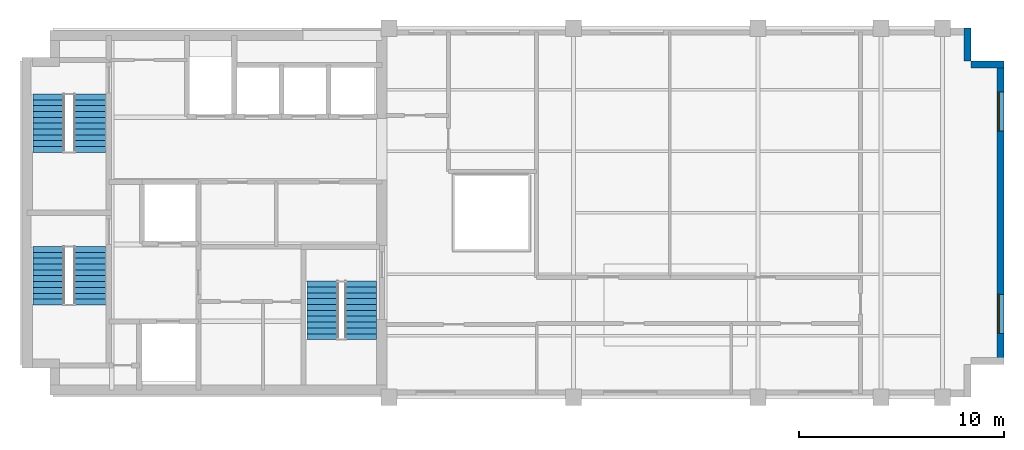
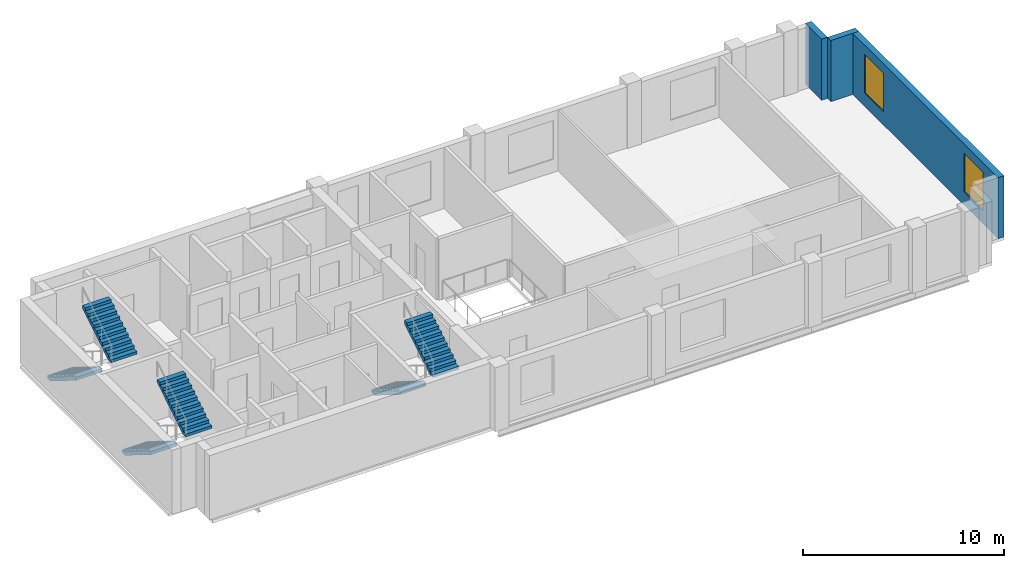
# One storey, part 4 of 5: 6 stair flights, 3 walls, 2 windows, 2 openings, 3 elements without a shape of their own.
"""IFC4 building model written with IfcOpenShell, lengths in metres."""

import ifcopenshell
import ifcopenshell.guid

model = None  # the IFC model being written
_history = None  # IfcOwnerHistory: only IFC2X3 demands one
_inside = {}  # id of a spatial element -> (the spatial element, [elements in it])
_under = {}  # id of a project, library or spatial element -> (it, [spatial elements below it])
_declared = {}  # id of a project -> (the project, [libraries it declares])
_typed = {}  # id of a type object -> (the type object, [elements of that type])
_made_of = {}  # id of a material, layer set ... -> (it, [elements and type objects made of it])


def new_model(schema):
    """Start an empty IFC model of exactly this schema.

    Asked for "IFC4X3", IfcOpenShell would pick the latest addendum, in which some entities
    have other attributes; the version numbers below select the first issue.
    IFC2X3 requires an IfcOwnerHistory on every rooted entity: one is made here for all.
    """
    global model, _history
    if schema == "IFC4X3":
        model = ifcopenshell.file(schema_version=(4, 3, 0, 0))
    else:
        model = ifcopenshell.file(schema=schema)
    _inside.clear()
    _under.clear()
    _declared.clear()
    _typed.clear()
    _made_of.clear()
    _history = None
    if model.schema == "IFC2X3":
        org = make("IfcOrganization", Name="unknown")
        user = make(
            "IfcPersonAndOrganization",
            ThePerson=make("IfcPerson", FamilyName="unknown"),
            TheOrganization=org,
        )
        app = make(
            "IfcApplication",
            ApplicationDeveloper=org,
            Version="unknown",
            ApplicationFullName="unknown",
            ApplicationIdentifier="unknown",
        )
        _history = make(
            "IfcOwnerHistory",
            OwningUser=user,
            OwningApplication=app,
            ChangeAction="ADDED",
            CreationDate=0,
        )
    return model


def make(cls, **values):
    """One entity of the class cls with the attributes given. An attribute that is None is left unset."""
    return model.create_entity(
        cls, **{name: value for name, value in values.items() if value is not None}
    )


def rooted(cls, **values):
    """An entity with a GlobalId (a new one), such as an element, a storey or a relation."""
    return make(cls, GlobalId=ifcopenshell.guid.new(), OwnerHistory=_history, **values)


def si_unit(unit_type, name, prefix=None):
    """IfcSIUnit, for example si_unit("LENGTHUNIT", "METRE", prefix="MILLI")."""
    return make("IfcSIUnit", UnitType=unit_type, Prefix=prefix, Name=name)


def assignment(units):
    """IfcUnitAssignment: the units of a project."""
    return None if units is None else make("IfcUnitAssignment", Units=units)


def point(xyz):
    """IfcCartesianPoint."""
    return None if xyz is None else make("IfcCartesianPoint", Coordinates=xyz)


def direction(xyz):
    """IfcDirection."""
    return None if xyz is None else make("IfcDirection", DirectionRatios=xyz)


def frame(location, z_axis=None, x_axis=None):
    """IfcAxis2Placement3D, a coordinate frame: its origin and axes. An axis left out is left unset."""
    return make(
        "IfcAxis2Placement3D",
        Location=point(location),
        Axis=direction(z_axis),
        RefDirection=direction(x_axis),
    )


def frame_2d(location, x_axis=None):
    """IfcAxis2Placement2D, a coordinate frame in the plane: its origin and x axis."""
    return make(
        "IfcAxis2Placement2D", Location=point(location), RefDirection=direction(x_axis)
    )


def origin():
    """The frame at (0, 0, 0) with its axes left unset."""
    return frame((0.0, 0.0, 0.0))


def place(relative_to, where):
    """IfcLocalPlacement: puts the frame where relative to a parent placement (None: the world)."""
    return make(
        "IfcLocalPlacement", PlacementRelTo=relative_to, RelativePlacement=where
    )


def context(
    kind, dimensions, precision=None, world=None, true_north=None, identifier=None
):
    """IfcGeometricRepresentationContext, for example the 3D "Model" context."""
    return make(
        "IfcGeometricRepresentationContext",
        ContextIdentifier=identifier,
        ContextType=kind,
        CoordinateSpaceDimension=dimensions,
        Precision=precision,
        WorldCoordinateSystem=world,
        TrueNorth=true_north,
    )


def subcontext(parent, identifier, kind, view, scale=None):
    """IfcGeometricRepresentationSubContext, for example "Body" below "Model"."""
    return make(
        "IfcGeometricRepresentationSubContext",
        ContextIdentifier=identifier,
        ContextType=kind,
        ParentContext=parent,
        TargetScale=scale,
        TargetView=view,
    )


def project(units=None, contexts=None):
    """IfcProject with its units and contexts."""
    return rooted(
        "IfcProject",
        Name="project",
        RepresentationContexts=contexts,
        UnitsInContext=assignment(units),
    )


def spatial(cls, under=None, at=None, **own):
    """A site, building, storey or space (cls), placed at a placement, below another one or the project."""
    s = rooted(cls, ObjectPlacement=at, **own)
    if under is not None:
        _under.setdefault(under.id(), (under, []))[1].append(s)
    return s


def polyline(points):
    """IfcPolyline through the points."""
    return make("IfcPolyline", Points=[point(p) for p in points])


def profile(cls, at=None, kind="AREA", **sizes):
    """A parametric profile (cls). Its sizes go by their IFC names, for example OverallWidth=200.0."""
    return make(cls, ProfileType=kind, Position=at, **sizes)


def rectangle(**sizes):
    """IfcRectangleProfileDef."""
    return profile("IfcRectangleProfileDef", **sizes)


def outline(outer, holes=None, kind="AREA"):
    """IfcArbitraryClosedProfileDef: a profile drawn as a closed curve; with holes, ...WithVoids."""
    if holes is None:
        return make("IfcArbitraryClosedProfileDef", ProfileType=kind, OuterCurve=outer)
    return make(
        "IfcArbitraryProfileDefWithVoids",
        ProfileType=kind,
        OuterCurve=outer,
        InnerCurves=holes,
    )


def extrude(swept, where, along, depth):
    """IfcExtrudedAreaSolid: the profile swept, set in the frame where, extruded along a direction by depth."""
    return make(
        "IfcExtrudedAreaSolid",
        SweptArea=swept,
        Position=where,
        ExtrudedDirection=direction(along),
        Depth=depth,
    )


def shape(context_of_items, identifier, shape_type, items):
    """IfcShapeRepresentation: the items that make up one representation, for example the "Body"."""
    return make(
        "IfcShapeRepresentation",
        ContextOfItems=context_of_items,
        RepresentationIdentifier=identifier,
        RepresentationType=shape_type,
        Items=items,
    )


def material(Name=None, Category=None):
    """IfcMaterial."""
    return make("IfcMaterial", Name=Name, Category=Category)


def layer(
    of_material, thickness, ventilated=None, Name=None, Category=None, Priority=None
):
    """IfcMaterialLayer: one layer of a wall or slab, of a material (None: an air gap)."""
    return make(
        "IfcMaterialLayer",
        Material=of_material,
        LayerThickness=thickness,
        IsVentilated=ventilated,
        Name=Name,
        Category=Category,
        Priority=Priority,
    )


def layer_set(layers, Name=None):
    """IfcMaterialLayerSet."""
    return make("IfcMaterialLayerSet", MaterialLayers=layers, LayerSetName=Name)


def made_of(thing, what):
    """Note that an element or type object is made of a material, layer set ...; save() writes the relation."""
    if what is not None:
        _made_of.setdefault(what.id(), (what, []))[1].append(thing)
    return thing


def type_object(cls, material=None, **own):
    """A type object (cls), such as IfcWallType, which elements share."""
    return made_of(rooted(cls, **own), material)


def element(
    cls,
    number,
    at=None,
    inside=None,
    cuts=None,
    type_object=None,
    material=None,
    context=None,
    identifier="Body",
    shape_type=None,
    held_by="IfcProductDefinitionShape",
    body=None,
    shapes=None,
    **own,
):
    """One element of the class cls, such as IfcWall. Its Tag is "e" and its number.

    at: its placement. inside: the storey or other place that contains it. cuts: it is an
    opening in that element (IfcRelVoidsElement). A single representation is given by context,
    identifier, shape_type and body (its items); several are given by shapes. held_by: the class
    of the entity that holds the representations. save() writes the other relations.
    """
    e = rooted(cls, Tag="e%d" % number, ObjectPlacement=at, **own)
    if body is not None:
        shapes = [shape(context, identifier, shape_type, body)]
    if shapes is not None:
        e.Representation = make(held_by, Representations=shapes)
    if inside is not None:
        _inside.setdefault(inside.id(), (inside, []))[1].append(e)
    if cuts is not None:
        rooted(
            "IfcRelVoidsElement", RelatingBuildingElement=cuts, RelatedOpeningElement=e
        )
    if type_object is not None:
        _typed.setdefault(type_object.id(), (type_object, []))[1].append(e)
    return made_of(e, material)


def fill(opening, filler):
    """IfcRelFillsElement: the door or window that sits in an opening."""
    return rooted(
        "IfcRelFillsElement",
        RelatingOpeningElement=opening,
        RelatedBuildingElement=filler,
    )


def aggregate(whole, parts):
    """IfcRelAggregates: a whole, such as a stair, and the parts it consists of."""
    return rooted("IfcRelAggregates", RelatingObject=whole, RelatedObjects=parts)


def save(model, path):
    """Write the relations noted so far, then the file.

    IfcRelAggregates (storeys below a building ...), IfcRelContainedInSpatialStructure (elements
    in a storey), IfcRelDefinesByType, IfcRelAssociatesMaterial and IfcRelDeclares: one each for
    every whole, place, type object, material and project.
    """
    for whole, parts in _under.values():
        aggregate(whole, parts)
    for where, things in _inside.values():
        rooted(
            "IfcRelContainedInSpatialStructure",
            RelatedElements=things,
            RelatingStructure=where,
        )
    for kind, things in _typed.values():
        rooted("IfcRelDefinesByType", RelatedObjects=things, RelatingType=kind)
    for what, things in _made_of.values():
        rooted("IfcRelAssociatesMaterial", RelatedObjects=things, RelatingMaterial=what)
    for by, libraries in _declared.values():
        rooted("IfcRelDeclares", RelatingContext=by, RelatedDefinitions=libraries)
    model.write(path)


model = new_model("IFC4")

# Units and contexts
model_context = context("Model", 3, precision=1e-05, world=origin(), true_north=direction((0.0, 1.0)))
body_context = subcontext(model_context, "Body", "Model", "MODEL_VIEW")
ifc_project = project(units=[si_unit("LENGTHUNIT", "METRE"), si_unit("AREAUNIT", "SQUARE_METRE"), si_unit("VOLUMEUNIT", "CUBIC_METRE"), si_unit("PLANEANGLEUNIT", "RADIAN"), si_unit("MASSUNIT", "GRAM", prefix="KILO")], contexts=[model_context])

# Site, building, storey
site_placement = place(None, origin())
site = spatial("IfcSite", under=ifc_project, at=site_placement, CompositionType="ELEMENT")
building_placement = place(site_placement, origin())
building = spatial("IfcBuilding", under=site, at=building_placement, Name="Mawjdan Bourse Tower", CompositionType="ELEMENT")
storey_placement = place(building_placement, frame((0.0, 0.0, 266.39990234375)))
storey = spatial("IfcBuildingStorey", under=building, at=storey_placement, Name="L65", CompositionType="ELEMENT", Elevation=266.39990234375)

# Wall, openings, windows
ifc_material_1 = material(Name="Brick Masonry Buff", Category="masonry")
ifc_layer = layer(ifc_material_1, 0.340087890625)
ifc_layer_set = layer_set([ifc_layer], Name="Brick Masonry Buff")
wall_type = type_object("IfcWallType", Name="WL-BRK-SPN-340", PredefinedType="STANDARD", material=ifc_layer_set)
wall_placement = place(storey_placement, frame((53.830078125, 4.60009765625, 0.0), z_axis=(0.0, 0.0, 1.0), x_axis=(0.0, 1.0, 0.0)))
wall = element("IfcWall", 1, at=wall_placement, inside=storey, type_object=wall_type, Name="L65 Exterior Brick Wall 4", PredefinedType="STANDARD", context=body_context, shape_type="SweptSolid", body=[
    extrude(rectangle(XDim=14.7998046875, YDim=0.340087890625, at=frame_2d((7.39990234375, 0.0))), origin(), (0.0, 0.0, 1.0), 3.715087890625),
])
opening_1_placement = place(wall_placement, frame((1.5166015625, 0.0, 0.800048828125)))
opening_1 = element("IfcOpeningElement", 2, at=opening_1_placement, cuts=wall, Name="Opening W-L65-04", PredefinedType="OPENING", context=body_context, shape_type="SweptSolid", body=[
    extrude(rectangle(XDim=1.89990234375, YDim=2.35009765625, at=frame_2d((0.949951171875, 1.175048828125))), frame((0.0, 0.18017578125, 0.0), z_axis=(0.0, -1.0, 0.0), x_axis=(1.0, 0.0, 0.0)), (0.0, 0.0, 1.0), 0.360107421875),
])
opening_2_placement = place(wall_placement, frame((11.38330078125, 0.0, 0.800048828125)))
opening_2 = element("IfcOpeningElement", 3, at=opening_2_placement, cuts=wall, Name="Opening W-L65-05", PredefinedType="OPENING", context=body_context, shape_type="SweptSolid", body=[
    extrude(rectangle(XDim=1.89990234375, YDim=2.35009765625, at=frame_2d((0.949951171875, 1.175048828125))), frame((0.0, 0.18017578125, 0.0), z_axis=(0.0, -1.0, 0.0), x_axis=(1.0, 0.0, 0.0)), (0.0, 0.0, 1.0), 0.360107421875),
])
ifc_material_2 = material(Name="Solar-Control Clear Double Glazing", Category="glass")
window_type = type_object("IfcWindowType", Name="WN-SMT-1900", PartitioningType="SINGLE_PANEL", PredefinedType="WINDOW", material=ifc_material_2)
window_1_placement = place(opening_1_placement, origin())
window_1 = element("IfcWindow", 4, at=window_1_placement, inside=storey, type_object=window_type, Name="L65 Deep-Set Masonry Window W-L65-04", OverallHeight=2.35009765625, OverallWidth=1.89990234375, PartitioningType="SINGLE_PANEL", PredefinedType="WINDOW", context=body_context, shape_type="SweptSolid", body=[
    extrude(rectangle(XDim=1.89990234375, YDim=2.35009765625, at=frame_2d((0.949951171875, 1.175048828125))), frame((0.0, 0.110107421875, 0.0), z_axis=(0.0, -1.0, 0.0), x_axis=(1.0, 0.0, 0.0)), (0.0, 0.0, 1.0), 0.06005859375),
])
fill(opening_1, window_1)
window_2_placement = place(opening_2_placement, origin())
window_2 = element("IfcWindow", 5, at=window_2_placement, inside=storey, type_object=window_type, Name="L65 Deep-Set Masonry Window W-L65-05", OverallHeight=2.35009765625, OverallWidth=1.89990234375, PartitioningType="SINGLE_PANEL", PredefinedType="WINDOW", context=body_context, shape_type="SweptSolid", body=[
    extrude(rectangle(XDim=1.89990234375, YDim=2.35009765625, at=frame_2d((0.949951171875, 1.175048828125))), frame((0.0, 0.110107421875, 0.0), z_axis=(0.0, -1.0, 0.0), x_axis=(1.0, 0.0, 0.0)), (0.0, 0.0, 1.0), 0.06005859375),
])
fill(opening_2, window_2)

# Walls
for number, where, z_axis, x_axis, name in (
    (6, (54.0, 19.22998046875, 0.0), (0.0, 0.0, 1.0), (-1.0, 0.0, 0.0), "L65 Exterior Brick Wall 5"),
    (7, (52.22998046875, 19.39990234375, 0.0), (0.0, 0.0, 1.0), (0.0, 1.0, 0.0), "L65 Exterior Brick Wall 6"),
):
    element("IfcWall", number, at=place(storey_placement, frame(where, z_axis=z_axis, x_axis=x_axis)), inside=storey, type_object=wall_type, Name=name, PredefinedType="STANDARD", context=body_context, shape_type="SweptSolid", body=[
        extrude(rectangle(XDim=1.60009765625, YDim=0.340087890625, at=frame_2d((0.800048828125, 0.0))), origin(), (0.0, 0.0, 1.0), 3.715087890625),
    ])

# Stair, stair flights
ifc_material_3 = material(Name="Concrete C50/60", Category="concrete")
stair_type = type_object("IfcStairType", Name="STR-CORE-1500", PredefinedType="HALF_TURN_STAIR", material=ifc_material_3)
stair_1_placement = place(storey_placement, origin())
stair_1 = element("IfcStair", 8, at=stair_1_placement, inside=storey, type_object=stair_type, Name="L65 Exit Stair 1 (Core South-West)", PredefinedType="HALF_TURN_STAIR")
stair_flight_type = type_object("IfcStairFlightType", Name="SFL-RC-1500", PredefinedType="STRAIGHT", material=ifc_material_3)
stair_flight_1_placement = place(storey_placement, frame((7.389892578125, 10.35009765625, 0.0), z_axis=(0.0, 0.0, 1.0), x_axis=(0.0, -1.0, 0.0)))
stair_flight_1 = element("IfcStairFlight", 9, at=stair_flight_1_placement, type_object=stair_flight_type, Name="ST1-L65 flight 1", NumberOfRisers=11, NumberOfTreads=10, PredefinedType="STRAIGHT", RiserHeight=0.177273, TreadLength=0.285, context=body_context, shape_type="SweptSolid", body=[
    extrude(outline(polyline([(0.0, 0.0), (0.0, 0.17724609375), (0.284912109375, 0.17724609375), (0.284912109375, 0.3544921875), (0.570068359375, 0.3544921875), (0.570068359375, 0.53173828125), (0.85498046875, 0.53173828125), (0.85498046875, 0.708984375), (1.139892578125, 0.708984375), (1.139892578125, 0.886474609375), (1.425048828125, 0.886474609375), (1.425048828125, 1.063720703125), (1.7099609375, 1.063720703125), (1.7099609375, 1.240966796875), (1.9951171875, 1.240966796875), (1.9951171875, 1.418212890625), (2.280029296875, 1.418212890625), (2.280029296875, 1.595458984375), (2.56494140625, 1.595458984375), (2.56494140625, 1.772705078125), (2.85009765625, 1.772705078125), (2.85009765625, 1.949951171875), (2.85009765625, 1.58447265625), (0.302734375, 0.0), (0.0, 0.0)])), frame((0.0, 0.75, 0.0), z_axis=(0.0, -1.0, 0.0), x_axis=(1.0, 0.0, 0.0)), (0.0, 0.0, 1.0), 1.5),
])
stair_flight_2_placement = place(storey_placement, frame((9.409912109375, 7.5, 1.9501953125), z_axis=(0.0, 0.0, 1.0), x_axis=(0.0, 1.0, 0.0)))
stair_flight_2 = element("IfcStairFlight", 10, at=stair_flight_2_placement, type_object=stair_flight_type, Name="ST1-L65 flight 2", NumberOfRisers=11, NumberOfTreads=10, PredefinedType="STRAIGHT", RiserHeight=0.177273, TreadLength=0.285, context=body_context, shape_type="SweptSolid", body=[
    extrude(outline(polyline([(0.0, 0.0), (0.0, 0.17724609375), (0.284912109375, 0.17724609375), (0.284912109375, 0.3544921875), (0.570068359375, 0.3544921875), (0.570068359375, 0.53173828125), (0.85498046875, 0.53173828125), (0.85498046875, 0.708984375), (1.139892578125, 0.708984375), (1.139892578125, 0.886474609375), (1.425048828125, 0.886474609375), (1.425048828125, 1.063720703125), (1.7099609375, 1.063720703125), (1.7099609375, 1.240966796875), (1.9951171875, 1.240966796875), (1.9951171875, 1.418212890625), (2.280029296875, 1.418212890625), (2.280029296875, 1.595458984375), (2.56494140625, 1.595458984375), (2.56494140625, 1.772705078125), (2.85009765625, 1.772705078125), (2.85009765625, 1.949951171875), (2.85009765625, 1.58447265625), (0.302734375, 0.0), (0.0, 0.0)])), frame((0.0, 0.75, 0.0), z_axis=(0.0, -1.0, 0.0), x_axis=(1.0, 0.0, 0.0)), (0.0, 0.0, 1.0), 1.5),
])
aggregate(stair_1, [stair_flight_1, stair_flight_2])

stair_2_placement = place(storey_placement, origin())
stair_2 = element("IfcStair", 11, at=stair_2_placement, inside=storey, type_object=stair_type, Name="L65 Exit Stair 2 (Core North-West)", PredefinedType="HALF_TURN_STAIR")
stair_flight_3_placement = place(storey_placement, frame((7.389892578125, 17.7900390625, 0.0), z_axis=(0.0, 0.0, 1.0), x_axis=(0.0, -1.0, 0.0)))
stair_flight_3 = element("IfcStairFlight", 12, at=stair_flight_3_placement, type_object=stair_flight_type, Name="ST2-L65 flight 1", NumberOfRisers=11, NumberOfTreads=10, PredefinedType="STRAIGHT", RiserHeight=0.177273, TreadLength=0.285, context=body_context, shape_type="SweptSolid", body=[
    extrude(outline(polyline([(0.0, 0.0), (0.0, 0.17724609375), (0.284912109375, 0.17724609375), (0.284912109375, 0.3544921875), (0.570068359375, 0.3544921875), (0.570068359375, 0.53173828125), (0.85498046875, 0.53173828125), (0.85498046875, 0.708984375), (1.139892578125, 0.708984375), (1.139892578125, 0.886474609375), (1.425048828125, 0.886474609375), (1.425048828125, 1.063720703125), (1.7099609375, 1.063720703125), (1.7099609375, 1.240966796875), (1.9951171875, 1.240966796875), (1.9951171875, 1.418212890625), (2.280029296875, 1.418212890625), (2.280029296875, 1.595458984375), (2.56494140625, 1.595458984375), (2.56494140625, 1.772705078125), (2.85009765625, 1.772705078125), (2.85009765625, 1.949951171875), (2.85009765625, 1.58447265625), (0.302734375, 0.0), (0.0, 0.0)])), frame((0.0, 0.75, 0.0), z_axis=(0.0, -1.0, 0.0), x_axis=(1.0, 0.0, 0.0)), (0.0, 0.0, 1.0), 1.5),
])
stair_flight_4_placement = place(storey_placement, frame((9.409912109375, 14.93994140625, 1.9501953125), z_axis=(0.0, 0.0, 1.0), x_axis=(0.0, 1.0, 0.0)))
stair_flight_4 = element("IfcStairFlight", 13, at=stair_flight_4_placement, type_object=stair_flight_type, Name="ST2-L65 flight 2", NumberOfRisers=11, NumberOfTreads=10, PredefinedType="STRAIGHT", RiserHeight=0.177273, TreadLength=0.285, context=body_context, shape_type="SweptSolid", body=[
    extrude(outline(polyline([(0.0, 0.0), (0.0, 0.17724609375), (0.284912109375, 0.17724609375), (0.284912109375, 0.3544921875), (0.570068359375, 0.3544921875), (0.570068359375, 0.53173828125), (0.85498046875, 0.53173828125), (0.85498046875, 0.708984375), (1.139892578125, 0.708984375), (1.139892578125, 0.886474609375), (1.425048828125, 0.886474609375), (1.425048828125, 1.063720703125), (1.7099609375, 1.063720703125), (1.7099609375, 1.240966796875), (1.9951171875, 1.240966796875), (1.9951171875, 1.418212890625), (2.280029296875, 1.418212890625), (2.280029296875, 1.595458984375), (2.56494140625, 1.595458984375), (2.56494140625, 1.772705078125), (2.85009765625, 1.772705078125), (2.85009765625, 1.949951171875), (2.85009765625, 1.58447265625), (0.302734375, 0.0), (0.0, 0.0)])), frame((0.0, 0.75, 0.0), z_axis=(0.0, -1.0, 0.0), x_axis=(1.0, 0.0, 0.0)), (0.0, 0.0, 1.0), 1.5),
])
aggregate(stair_2, [stair_flight_3, stair_flight_4])

stair_3_placement = place(storey_placement, origin())
stair_3 = element("IfcStair", 14, at=stair_3_placement, inside=storey, type_object=stair_type, Name="L65 Exit Stair 7 (Core South-East)", PredefinedType="HALF_TURN_STAIR")
stair_flight_5_placement = place(storey_placement, frame((20.739990234375, 8.659912109375, 0.0), z_axis=(0.0, 0.0, 1.0), x_axis=(0.0, -1.0, 0.0)))
stair_flight_5 = element("IfcStairFlight", 15, at=stair_flight_5_placement, type_object=stair_flight_type, Name="ST7-L65 flight 1", NumberOfRisers=11, NumberOfTreads=10, PredefinedType="STRAIGHT", RiserHeight=0.177273, TreadLength=0.285, context=body_context, shape_type="SweptSolid", body=[
    extrude(outline(polyline([(0.0, 0.0), (0.0, 0.17724609375), (0.284912109375, 0.17724609375), (0.284912109375, 0.3544921875), (0.570068359375, 0.3544921875), (0.570068359375, 0.53173828125), (0.85498046875, 0.53173828125), (0.85498046875, 0.708984375), (1.139892578125, 0.708984375), (1.139892578125, 0.886474609375), (1.425048828125, 0.886474609375), (1.425048828125, 1.063720703125), (1.7099609375, 1.063720703125), (1.7099609375, 1.240966796875), (1.9951171875, 1.240966796875), (1.9951171875, 1.418212890625), (2.280029296875, 1.418212890625), (2.280029296875, 1.595458984375), (2.56494140625, 1.595458984375), (2.56494140625, 1.772705078125), (2.85009765625, 1.772705078125), (2.85009765625, 1.949951171875), (2.85009765625, 1.58447265625), (0.302734375, 0.0), (0.0, 0.0)])), frame((0.0, 0.75, 0.0), z_axis=(0.0, -1.0, 0.0), x_axis=(1.0, 0.0, 0.0)), (0.0, 0.0, 1.0), 1.5),
])
stair_flight_6_placement = place(storey_placement, frame((22.6298828125, 5.81005859375, 1.9501953125), z_axis=(0.0, 0.0, 1.0), x_axis=(0.0, 1.0, 0.0)))
stair_flight_6 = element("IfcStairFlight", 16, at=stair_flight_6_placement, type_object=stair_flight_type, Name="ST7-L65 flight 2", NumberOfRisers=11, NumberOfTreads=10, PredefinedType="STRAIGHT", RiserHeight=0.177273, TreadLength=0.285, context=body_context, shape_type="SweptSolid", body=[
    extrude(outline(polyline([(0.0, 0.0), (0.0, 0.17724609375), (0.284912109375, 0.17724609375), (0.284912109375, 0.3544921875), (0.570068359375, 0.3544921875), (0.570068359375, 0.53173828125), (0.85498046875, 0.53173828125), (0.85498046875, 0.708984375), (1.139892578125, 0.708984375), (1.139892578125, 0.886474609375), (1.425048828125, 0.886474609375), (1.425048828125, 1.063720703125), (1.7099609375, 1.063720703125), (1.7099609375, 1.240966796875), (1.9951171875, 1.240966796875), (1.9951171875, 1.418212890625), (2.280029296875, 1.418212890625), (2.280029296875, 1.595458984375), (2.56494140625, 1.595458984375), (2.56494140625, 1.772705078125), (2.85009765625, 1.772705078125), (2.85009765625, 1.949951171875), (2.85009765625, 1.58447265625), (0.302734375, 0.0), (0.0, 0.0)])), frame((0.0, 0.75, 0.0), z_axis=(0.0, -1.0, 0.0), x_axis=(1.0, 0.0, 0.0)), (0.0, 0.0, 1.0), 1.5),
])
aggregate(stair_3, [stair_flight_5, stair_flight_6])

save(model, "model.ifc")
